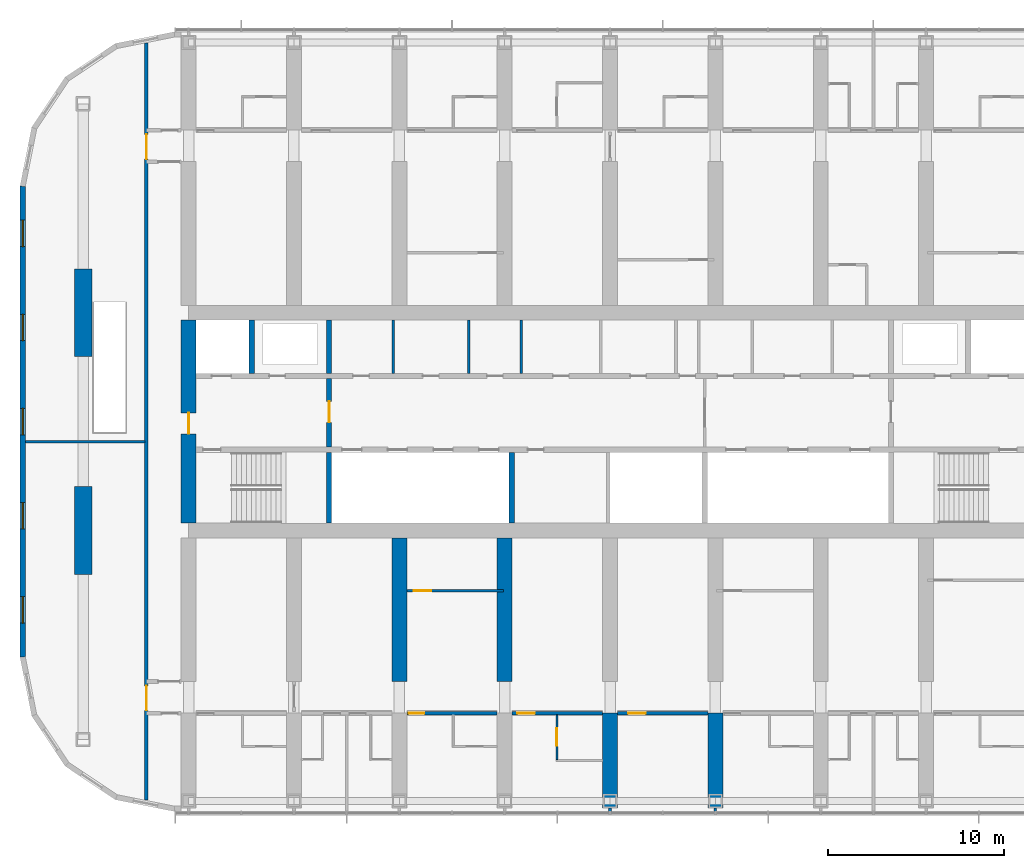
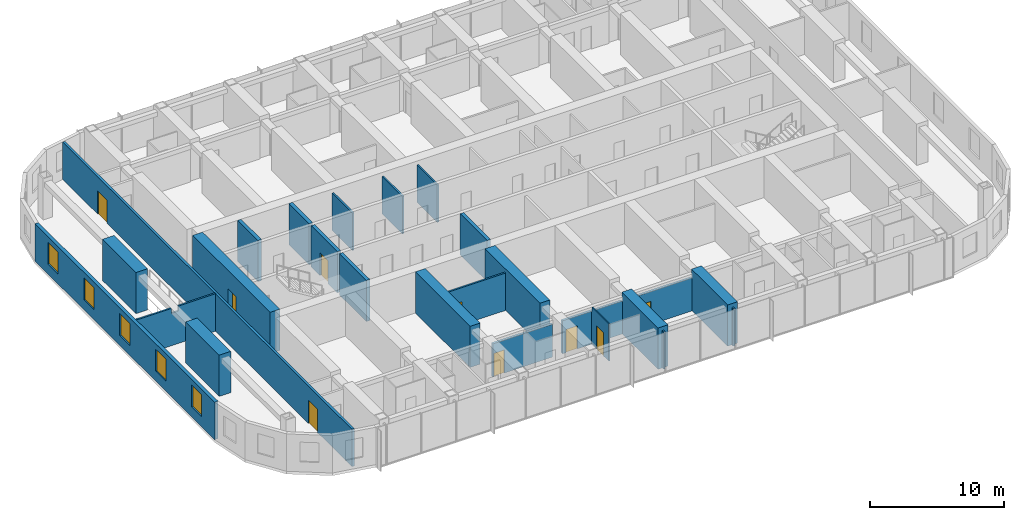
# One storey, part 11 of 22: 25 walls, 9 doors, 5 windows, 14 openings.
"""IFC4 building model written with IfcOpenShell, lengths in metres."""

from ifc_helpers import new_model, si_unit, direction, frame, frame_2d, origin, place, context, subcontext, project, spatial, polyline, rectangle, outline, extrude, material, layer, layer_set, type_object, element, fill, save


model = new_model("IFC4")

# Units and contexts
model_context = context("Model", 3, precision=1e-05, world=origin(), true_north=direction((0.0, 1.0)))
body_context = subcontext(model_context, "Body", "Model", "MODEL_VIEW")
ifc_project = project(units=[si_unit("LENGTHUNIT", "METRE"), si_unit("AREAUNIT", "SQUARE_METRE"), si_unit("VOLUMEUNIT", "CUBIC_METRE"), si_unit("PLANEANGLEUNIT", "RADIAN"), si_unit("MASSUNIT", "GRAM", prefix="KILO")], contexts=[model_context])

# Site, building, storey
site_placement = place(None, origin())
site = spatial("IfcSite", under=ifc_project, at=site_placement, CompositionType="ELEMENT")
building_placement = place(site_placement, origin())
building = spatial("IfcBuilding", under=site, at=building_placement, Name="Orbita Commons", CompositionType="ELEMENT")
storey_placement = place(building_placement, frame((0.0, 0.0, 197.35009765625)))
storey = spatial("IfcBuildingStorey", under=building, at=storey_placement, Name="L49", CompositionType="ELEMENT", Elevation=197.35009765625)

# Wall
ifc_material_1 = material(Name="Concrete C50/60", Category="concrete")
ifc_layer_1 = layer(ifc_material_1, 0.300048828125)
ifc_layer_set_1 = layer_set([ifc_layer_1], Name="Concrete C50/60")
wall_type_1 = type_object("IfcWallType", Name="Core inner wall 300 C50/60", PredefinedType="SHEAR", material=ifc_layer_set_1)
wall_1_placement = place(storey_placement, frame((26.0, 26.22509765625, 0.0), z_axis=(0.0, 0.0, 1.0), x_axis=(0.0, 1.0, 0.0)))
element("IfcWall", 1, at=wall_1_placement, inside=storey, type_object=wall_type_1, Name="Stair S1 wall L49", PredefinedType="SHEAR", context=body_context, shape_type="SweptSolid", body=[
    extrude(rectangle(XDim=4.02490234375, YDim=0.300048828125, at=frame_2d((2.012451171875, 0.0))), origin(), (0.0, 0.0, 1.0), 3.75),
])

# Wall, opening, door
wall_2_placement = place(storey_placement, frame((26.0, 30.550048828125, 0.0), z_axis=(0.0, 0.0, 1.0), x_axis=(0.0, 1.0, 0.0)))
wall_2 = element("IfcWall", 2, at=wall_2_placement, inside=storey, type_object=wall_type_1, Name="Firefighting lobby wall west L49", PredefinedType="SHEAR", context=body_context, shape_type="SweptSolid", body=[
    extrude(rectangle(XDim=3.89990234375, YDim=0.300048828125, at=frame_2d((1.949951171875, 0.0))), origin(), (0.0, 0.0, 1.0), 3.75),
])
opening_1_placement = place(wall_2_placement, frame((1.39990234375, 0.0, 0.0)))
opening_1 = element("IfcOpeningElement", 3, at=opening_1_placement, cuts=wall_2, Name="Opening D04", PredefinedType="OPENING", context=body_context, shape_type="SweptSolid", body=[
    extrude(rectangle(XDim=1.199951171875, YDim=2.10009765625, at=frame_2d((0.60009765625, 1.050048828125))), frame((0.0, 0.159912109375, 0.0), z_axis=(0.0, -1.0, 0.0), x_axis=(1.0, 0.0, 0.0)), (0.0, 0.0, 1.0), 0.320068359375),
])
ifc_material_2 = material(Name="Steel-faced fire door leaf", Category="steel")
door_type_1 = type_object("IfcDoorType", Name="Service door 20 min 1200x2100", OperationType="SINGLE_SWING_LEFT", PredefinedType="DOOR", material=ifc_material_2)
door_1_placement = place(opening_1_placement, origin())
door_1 = element("IfcDoor", 4, at=door_1_placement, inside=storey, type_object=door_type_1, Name="Lift lobby door west", OperationType="SINGLE_SWING_LEFT", OverallHeight=2.10009765625, OverallWidth=1.199951171875, PredefinedType="DOOR", context=body_context, shape_type="SweptSolid", body=[
    extrude(rectangle(XDim=1.199951171875, YDim=2.10009765625, at=frame_2d((0.60009765625, 1.050048828125))), frame((0.0, 0.02490234375, 0.0), z_axis=(0.0, -1.0, 0.0), x_axis=(1.0, 0.0, 0.0)), (0.0, 0.0, 1.0), 0.050048828125),
])
fill(opening_1, door_1)

# Walls
for number, where, z_axis, x_axis, name in (
    (5, (21.60009765625, 34.75, 0.0), (0.0, 0.0, 1.0), (0.0, 1.0, 0.0), "Firefighting lift FL1 shaft wall L49"),
    (6, (26.0, 34.75, 0.0), (0.0, 0.0, 1.0), (0.0, 1.0, 0.0), "Riser wall west L49"),
):
    element("IfcWall", number, at=place(storey_placement, frame(where, z_axis=z_axis, x_axis=x_axis)), inside=storey, type_object=wall_type_1, Name=name, PredefinedType="SHEAR", context=body_context, shape_type="SweptSolid", body=[
        extrude(rectangle(XDim=3.02490234375, YDim=0.300048828125, at=frame_2d((1.512451171875, 0.0))), origin(), (0.0, 0.0, 1.0), 3.75),
    ])
wall_3_placement = place(storey_placement, frame((36.39990234375, 26.22509765625, 0.0), z_axis=(0.0, 0.0, 1.0), x_axis=(0.0, 1.0, 0.0)))
element("IfcWall", 7, at=wall_3_placement, inside=storey, type_object=wall_type_1, Name="Hoistway division wall L49", PredefinedType="SHEAR", context=body_context, shape_type="SweptSolid", body=[
    extrude(rectangle(XDim=4.02490234375, YDim=0.300048828125, at=frame_2d((2.012451171875, 0.0))), origin(), (0.0, 0.0, 1.0), 3.75),
])
ifc_material_3 = material(Name="Concrete blockwork", Category="masonry")
ifc_layer_2 = layer(ifc_material_3, 0.14990234375)
ifc_layer_set_2 = layer_set([ifc_layer_2], Name="Concrete blockwork")
wall_type_2 = type_object("IfcWallType", Name="Core partition 150 blockwork", PredefinedType="SOLIDWALL", material=ifc_layer_set_2)
for number, where, z_axis, x_axis, name in (
    (8, (29.65087890625, 34.75, 0.0), (0.0, 0.0, 1.0), (0.0, 1.0, 0.0), "Core partition 150 blockwork L49"),
    (9, (33.9462890625, 34.75, 0.0), (0.0, 0.0, 1.0), (0.0, 1.0, 0.0), "Core partition 150 blockwork L49"),
    (10, (36.9462890625, 34.75, 0.0), (0.0, 0.0, 1.0), (0.0, 1.0, 0.0), "Core partition 150 blockwork L49"),
):
    element("IfcWall", number, at=place(storey_placement, frame(where, z_axis=z_axis, x_axis=x_axis)), inside=storey, type_object=wall_type_2, Name=name, PredefinedType="SOLIDWALL", context=body_context, shape_type="SweptSolid", body=[
        extrude(rectangle(XDim=3.02490234375, YDim=0.14990234375, at=frame_2d((1.512451171875, 0.0))), origin(), (0.0, 0.0, 1.0), 3.39990234375),
    ])

# Wall, opening, door
ifc_material_4 = material(Name="Concrete C50/60", Category="concrete")
ifc_layer_3 = layer(ifc_material_4, 0.85009765625)
ifc_layer_set_3 = layer_set([ifc_layer_3], Name="Concrete C50/60")
wall_type_3 = type_object("IfcWallType", Name="Core wall 850 C50/60", PredefinedType="SHEAR", material=ifc_layer_set_3)
wall_4_placement = place(storey_placement, frame((18.0, 26.22509765625, 0.0), z_axis=(0.0, 0.0, 1.0), x_axis=(0.0, 1.0, 0.0)))
wall_4 = element("IfcWall", 11, at=wall_4_placement, inside=storey, type_object=wall_type_3, Name="Core end wall west L49", PredefinedType="SHEAR", context=body_context, shape_type="SweptSolid", body=[
    extrude(rectangle(XDim=11.5498046875, YDim=0.85009765625, at=frame_2d((5.77490234375, 0.0))), origin(), (0.0, 0.0, 1.0), 3.75),
])
opening_2_placement = place(wall_4_placement, frame((5.074951171875, 0.0, 0.0)))
opening_2 = element("IfcOpeningElement", 12, at=opening_2_placement, cuts=wall_4, Name="Opening D01", PredefinedType="OPENING", context=body_context, shape_type="SweptSolid", body=[
    extrude(rectangle(XDim=1.199951171875, YDim=2.10009765625, at=frame_2d((0.60009765625, 1.050048828125))), frame((0.0, 0.43505859375, 0.0), z_axis=(0.0, -1.0, 0.0), x_axis=(1.0, 0.0, 0.0)), (0.0, 0.0, 1.0), 0.8701171875),
])
ifc_material_5 = material(Name="Steel-faced fire door leaf", Category="steel")
door_type_2 = type_object("IfcDoorType", Name="Fire door 90 min 1200x2100", OperationType="SINGLE_SWING_LEFT", PredefinedType="DOOR", material=ifc_material_5)
door_2_placement = place(opening_2_placement, origin())
door_2 = element("IfcDoor", 13, at=door_2_placement, inside=storey, type_object=door_type_2, Name="Firefighting lobby west door", OperationType="SINGLE_SWING_LEFT", OverallHeight=2.10009765625, OverallWidth=1.199951171875, PredefinedType="DOOR", context=body_context, shape_type="SweptSolid", body=[
    extrude(rectangle(XDim=1.199951171875, YDim=2.10009765625, at=frame_2d((0.60009765625, 1.050048828125))), frame((0.0, 0.02490234375, 0.0), z_axis=(0.0, -1.0, 0.0), x_axis=(1.0, 0.0, 0.0)), (0.0, 0.0, 1.0), 0.050048828125),
])
fill(opening_2, door_2)

ifc_material_6 = material(Name="Concrete blockwork", Category="masonry")
ifc_layer_4 = layer(ifc_material_6, 0.199951171875)
ifc_layer_set_4 = layer_set([ifc_layer_4], Name="Concrete blockwork")
wall_type_4 = type_object("IfcWallType", Name="Corridor wall 200 blockwork", PredefinedType="SOLIDWALL", material=ifc_layer_set_4)
wall_5_placement = place(storey_placement, frame((30.425048828125, 15.39990234375, 0.0), z_axis=(0.0, 0.0, 1.0), x_axis=(1.0, 0.0, 0.0)))
wall_5 = element("IfcWall", 14, at=wall_5_placement, inside=storey, type_object=wall_type_4, Name="Corridor wall 200 blockwork L49", PredefinedType="SOLIDWALL", context=body_context, shape_type="SweptSolid", body=[
    extrude(outline(polyline([(0.0, 0.0), (5.14990234375, 0.0), (5.14990234375, 3.0), (0.0, 3.0), (0.0, 0.0)])), frame((0.0, 0.10009765625, 0.0), z_axis=(0.0, -1.0, 0.0), x_axis=(1.0, 0.0, 0.0)), (0.0, 0.0, 1.0), 0.199951171875),
])
opening_3_placement = place(wall_5_placement, frame((0.10009765625, 0.0, 0.0)))
opening_3 = element("IfcOpeningElement", 15, at=opening_3_placement, cuts=wall_5, Name="Opening D11", PredefinedType="OPENING", context=body_context, shape_type="SweptSolid", body=[
    extrude(rectangle(XDim=0.89990234375, YDim=2.10009765625, at=frame_2d((0.449951171875, 1.050048828125))), frame((0.0, 0.10986328125, 0.0), z_axis=(0.0, -1.0, 0.0), x_axis=(1.0, 0.0, 0.0)), (0.0, 0.0, 1.0), 0.219970703125),
])
ifc_material_7 = material(Name="Steel-faced fire door leaf", Category="steel")
door_type_3 = type_object("IfcDoorType", Name="Corridor door 20 min 900x2100", OperationType="SINGLE_SWING_LEFT", PredefinedType="DOOR", material=ifc_material_7)
door_3_placement = place(opening_3_placement, origin())
door_3 = element("IfcDoor", 16, at=door_3_placement, inside=storey, type_object=door_type_3, Name="Twin room L49-S04 door", OperationType="SINGLE_SWING_LEFT", OverallHeight=2.10009765625, OverallWidth=0.89990234375, PredefinedType="DOOR", context=body_context, shape_type="SweptSolid", body=[
    extrude(rectangle(XDim=0.89990234375, YDim=2.10009765625, at=frame_2d((0.449951171875, 1.050048828125))), frame((0.0, 0.02490234375, 0.0), z_axis=(0.0, -1.0, 0.0), x_axis=(1.0, 0.0, 0.0)), (0.0, 0.0, 1.0), 0.050048828125),
])
fill(opening_3, door_3)

wall_6_placement = place(storey_placement, frame((36.425048828125, 15.39990234375, 0.0), z_axis=(0.0, 0.0, 1.0), x_axis=(1.0, 0.0, 0.0)))
wall_6 = element("IfcWall", 17, at=wall_6_placement, inside=storey, type_object=wall_type_4, Name="Corridor wall 200 blockwork L49", PredefinedType="SOLIDWALL", context=body_context, shape_type="SweptSolid", body=[
    extrude(outline(polyline([(0.0, 0.0), (5.14990234375, 0.0), (5.14990234375, 3.0), (0.0, 3.0), (0.0, 0.0)])), frame((0.0, 0.10009765625, 0.0), z_axis=(0.0, -1.0, 0.0), x_axis=(1.0, 0.0, 0.0)), (0.0, 0.0, 1.0), 0.199951171875),
])
opening_4_placement = place(wall_6_placement, frame((0.300048828125, 0.0, 0.0)))
opening_4 = element("IfcOpeningElement", 18, at=opening_4_placement, cuts=wall_6, Name="Opening D06", PredefinedType="OPENING", context=body_context, shape_type="SweptSolid", body=[
    extrude(rectangle(XDim=1.0, YDim=2.10009765625, at=frame_2d((0.5, 1.050048828125))), frame((0.0, 0.10986328125, 0.0), z_axis=(0.0, -1.0, 0.0), x_axis=(1.0, 0.0, 0.0)), (0.0, 0.0, 1.0), 0.219970703125),
])
ifc_material_8 = material(Name="Steel-faced fire door leaf", Category="steel")
door_type_4 = type_object("IfcDoorType", Name="Corridor door 20 min 1000x2100", OperationType="SINGLE_SWING_LEFT", PredefinedType="DOOR", material=ifc_material_8)
door_4_placement = place(opening_4_placement, origin())
door_4 = element("IfcDoor", 19, at=door_4_placement, inside=storey, type_object=door_type_4, Name="Accessible bedroom L49-S06 door", OperationType="SINGLE_SWING_LEFT", OverallHeight=2.10009765625, OverallWidth=1.0, PredefinedType="DOOR", context=body_context, shape_type="SweptSolid", body=[
    extrude(rectangle(XDim=1.0, YDim=2.10009765625, at=frame_2d((0.5, 1.050048828125))), frame((0.0, 0.02490234375, 0.0), z_axis=(0.0, -1.0, 0.0), x_axis=(1.0, 0.0, 0.0)), (0.0, 0.0, 1.0), 0.050048828125),
])
fill(opening_4, door_4)

wall_7_placement = place(storey_placement, frame((42.425048828125, 15.39990234375, 0.0), z_axis=(0.0, 0.0, 1.0), x_axis=(1.0, 0.0, 0.0)))
wall_7 = element("IfcWall", 20, at=wall_7_placement, inside=storey, type_object=wall_type_4, Name="Corridor wall 200 blockwork L49", PredefinedType="SOLIDWALL", context=body_context, shape_type="SweptSolid", body=[
    extrude(outline(polyline([(0.0, 0.0), (5.14990234375, 0.0), (5.14990234375, 3.0), (0.0, 3.0), (0.0, 0.0)])), frame((0.0, 0.10009765625, 0.0), z_axis=(0.0, -1.0, 0.0), x_axis=(1.0, 0.0, 0.0)), (0.0, 0.0, 1.0), 0.199951171875),
])
opening_5_placement = place(wall_7_placement, frame((0.60009765625, 0.0, 0.0)))
opening_5 = element("IfcOpeningElement", 21, at=opening_5_placement, cuts=wall_7, Name="Opening D06", PredefinedType="OPENING", context=body_context, shape_type="SweptSolid", body=[
    extrude(rectangle(XDim=1.0, YDim=2.10009765625, at=frame_2d((0.5, 1.050048828125))), frame((0.0, 0.10986328125, 0.0), z_axis=(0.0, -1.0, 0.0), x_axis=(1.0, 0.0, 0.0)), (0.0, 0.0, 1.0), 0.219970703125),
])
door_5_placement = place(opening_5_placement, origin())
door_5 = element("IfcDoor", 22, at=door_5_placement, inside=storey, type_object=door_type_4, Name="Cluster kitchen-diner L49-S08 door", OperationType="SINGLE_SWING_LEFT", OverallHeight=2.10009765625, OverallWidth=1.0, PredefinedType="DOOR", context=body_context, shape_type="SweptSolid", body=[
    extrude(rectangle(XDim=1.0, YDim=2.10009765625, at=frame_2d((0.5, 1.050048828125))), frame((0.0, 0.02490234375, 0.0), z_axis=(0.0, -1.0, 0.0), x_axis=(1.0, 0.0, 0.0)), (0.0, 0.0, 1.0), 0.050048828125),
])
fill(opening_5, door_5)

# Wall, openings, doors
wall_8_placement = place(storey_placement, frame((15.60009765625, 10.4462890625, 0.0), z_axis=(0.0, 0.0, 1.0), x_axis=(0.0, 1.0, 0.0)))
wall_8 = element("IfcWall", 23, at=wall_8_placement, inside=storey, type_object=wall_type_4, Name="Corridor wall 200 blockwork L49", PredefinedType="SOLIDWALL", context=body_context, shape_type="SweptSolid", body=[
    extrude(rectangle(XDim=43.107421875, YDim=0.199951171875, at=frame_2d((21.5537109375, 0.0))), origin(), (0.0, 0.0, 1.0), 3.39990234375),
])
opening_6_placement = place(wall_8_placement, frame((5.103759765625, 0.0, 0.0)))
opening_6 = element("IfcOpeningElement", 24, at=opening_6_placement, cuts=wall_8, Name="Opening D08", PredefinedType="OPENING", context=body_context, shape_type="SweptSolid", body=[
    extrude(rectangle(XDim=1.39990234375, YDim=2.10009765625, at=frame_2d((0.699951171875, 1.050048828125))), frame((0.0, 0.10986328125, 0.0), z_axis=(0.0, -1.0, 0.0), x_axis=(1.0, 0.0, 0.0)), (0.0, 0.0, 1.0), 0.219970703125),
])
opening_7_placement = place(wall_8_placement, frame((36.50390625, 0.0, 0.0)))
opening_7 = element("IfcOpeningElement", 25, at=opening_7_placement, cuts=wall_8, Name="Opening D08", PredefinedType="OPENING", context=body_context, shape_type="SweptSolid", body=[
    extrude(rectangle(XDim=1.39990234375, YDim=2.10009765625, at=frame_2d((0.699951171875, 1.050048828125))), frame((0.0, 0.10986328125, 0.0), z_axis=(0.0, -1.0, 0.0), x_axis=(1.0, 0.0, 0.0)), (0.0, 0.0, 1.0), 0.219970703125),
])
ifc_material_9 = material(Name="Steel-faced fire door leaf", Category="steel")
door_type_5 = type_object("IfcDoorType", Name="Double corridor door 20 min 1400x2100", OperationType="DOUBLE_DOOR_SINGLE_SWING", PredefinedType="DOOR", material=ifc_material_9)
door_6_placement = place(opening_6_placement, origin())
door_6 = element("IfcDoor", 26, at=door_6_placement, inside=storey, type_object=door_type_5, Name="Lounge doors", OperationType="DOUBLE_DOOR_SINGLE_SWING", OverallHeight=2.10009765625, OverallWidth=1.39990234375, PredefinedType="DOOR", context=body_context, shape_type="SweptSolid", body=[
    extrude(rectangle(XDim=1.39990234375, YDim=2.10009765625, at=frame_2d((0.699951171875, 1.050048828125))), frame((0.0, 0.02490234375, 0.0), z_axis=(0.0, -1.0, 0.0), x_axis=(1.0, 0.0, 0.0)), (0.0, 0.0, 1.0), 0.050048828125),
])
fill(opening_6, door_6)
door_7_placement = place(opening_7_placement, origin())
door_7 = element("IfcDoor", 27, at=door_7_placement, inside=storey, type_object=door_type_5, Name="Lounge doors", OperationType="DOUBLE_DOOR_SINGLE_SWING", OverallHeight=2.10009765625, OverallWidth=1.39990234375, PredefinedType="DOOR", context=body_context, shape_type="SweptSolid", body=[
    extrude(rectangle(XDim=1.39990234375, YDim=2.10009765625, at=frame_2d((0.699951171875, 1.050048828125))), frame((0.0, 0.02490234375, 0.0), z_axis=(0.0, -1.0, 0.0), x_axis=(1.0, 0.0, 0.0)), (0.0, 0.0, 1.0), 0.050048828125),
])
fill(opening_7, door_7)

# Walls
ifc_material_10 = material(Name="Concrete C50/60", Category="concrete")
ifc_layer_5 = layer(ifc_material_10, 0.85009765625)
ifc_layer_set_5 = layer_set([ifc_layer_5], Name="Concrete C50/60")
wall_type_5 = type_object("IfcWallType", Name="Cross wall 850 C50/60", PredefinedType="SHEAR", material=ifc_layer_set_5)
for number, where, z_axis, x_axis, name in (
    (28, (30.0, 17.199951171875, 0.0), (0.0, 0.0, 1.0), (0.0, 1.0, 0.0), "Cross wall 6 south inner L49"),
    (29, (36.0, 17.199951171875, 0.0), (0.0, 0.0, 1.0), (0.0, 1.0, 0.0), "Cross wall 7 south inner L49"),
):
    element("IfcWall", number, at=place(storey_placement, frame(where, z_axis=z_axis, x_axis=x_axis)), inside=storey, type_object=wall_type_5, Name=name, PredefinedType="SHEAR", context=body_context, shape_type="SweptSolid", body=[
        extrude(rectangle(XDim=8.175048828125, YDim=0.85009765625, at=frame_2d((4.08740234375, 0.0))), origin(), (0.0, 0.0, 1.0), 3.75),
    ])
for number, where, z_axis, x_axis, name in (
    (30, (42.0, 10.0, 0.0), (0.0, 0.0, 1.0), (0.0, 1.0, 0.0), "Cross wall 8 south outer L49"),
    (31, (48.0, 10.0, 0.0), (0.0, 0.0, 1.0), (0.0, 1.0, 0.0), "Cross wall 9 south outer L49"),
):
    element("IfcWall", number, at=place(storey_placement, frame(where, z_axis=z_axis, x_axis=x_axis)), inside=storey, type_object=wall_type_5, Name=name, PredefinedType="SHEAR", context=body_context, shape_type="SweptSolid", body=[
        extrude(rectangle(XDim=5.39990234375, YDim=0.85009765625, at=frame_2d((2.699951171875, 0.0))), origin(), (0.0, 0.0, 1.0), 3.75),
    ])

# Wall, opening, door
ifc_material_11 = material(Name="Moisture-resistant plasterboard on steel studs", Category="steel")
ifc_layer_6 = layer(ifc_material_11, 0.10009765625)
ifc_layer_set_6 = layer_set([ifc_layer_6], Name="Moisture-resistant plasterboard on steel studs")
wall_type_6 = type_object("IfcWallType", Name="En-suite partition 100", PredefinedType="PARTITIONING", material=ifc_layer_set_6)
wall_9_placement = place(storey_placement, frame((38.97509765625, 12.75, 0.0), z_axis=(0.0, 0.0, 1.0), x_axis=(0.0, 1.0, 0.0)))
wall_9 = element("IfcWall", 32, at=wall_9_placement, inside=storey, type_object=wall_type_6, Name="En-suite partition 100 L49", PredefinedType="PARTITIONING", context=body_context, shape_type="SweptSolid", body=[
    extrude(outline(polyline([(0.0, 0.0), (2.550048828125, 0.0), (2.550048828125, 3.0), (2.501953125, 3.0), (2.5, 3.39990234375), (0.0, 3.39990234375), (0.0, 0.0)])), frame((0.0, 0.050048828125, 0.0), z_axis=(0.0, -1.0, 0.0), x_axis=(1.0, 0.0, 0.0)), (0.0, 0.0, 1.0), 0.10009765625),
])
opening_8_placement = place(wall_9_placement, frame((0.800048828125, 0.0, 0.0)))
opening_8 = element("IfcOpeningElement", 33, at=opening_8_placement, cuts=wall_9, Name="Opening D13", PredefinedType="OPENING", context=body_context, shape_type="SweptSolid", body=[
    extrude(rectangle(XDim=1.0, YDim=2.10009765625, at=frame_2d((0.5, 1.050048828125))), frame((0.0, 0.06005859375, 0.0), z_axis=(0.0, -1.0, 0.0), x_axis=(1.0, 0.0, 0.0)), (0.0, 0.0, 1.0), 0.1201171875),
])
ifc_material_12 = material(Name="Laminated timber door leaf", Category="wood")
door_type_6 = type_object("IfcDoorType", Name="En-suite door 1000x2100", OperationType="SINGLE_SWING_RIGHT", PredefinedType="DOOR", material=ifc_material_12)
door_8_placement = place(opening_8_placement, origin())
door_8 = element("IfcDoor", 34, at=door_8_placement, inside=storey, type_object=door_type_6, Name="Accessible shower room L49-S06 door", OperationType="SINGLE_SWING_RIGHT", OverallHeight=2.10009765625, OverallWidth=1.0, PredefinedType="DOOR", context=body_context, shape_type="SweptSolid", body=[
    extrude(rectangle(XDim=1.0, YDim=2.10009765625, at=frame_2d((0.5, 1.050048828125))), frame((0.0, 0.02490234375, 0.0), z_axis=(0.0, -1.0, 0.0), x_axis=(1.0, 0.0, 0.0)), (0.0, 0.0, 1.0), 0.050048828125),
])
fill(opening_8, door_8)

# Walls
ifc_material_13 = material(Name="Concrete C50/60", Category="concrete")
ifc_layer_7 = layer(ifc_material_13, 1.0)
ifc_layer_set_7 = layer_set([ifc_layer_7], Name="Concrete C50/60")
wall_type_7 = type_object("IfcWallType", Name="End pier 1000x5000 C50/60", PredefinedType="SHEAR", material=ifc_layer_set_7)
for number, where, z_axis, x_axis, name in (
    (35, (12.0, 23.300048828125, 0.0), (0.0, 0.0, 1.0), (0.0, 1.0, 0.0), "End pier 3/C L49"),
    (36, (12.0, 35.699951171875, 0.0), (0.0, 0.0, 1.0), (0.0, 1.0, 0.0), "End pier 3/D L49"),
):
    element("IfcWall", number, at=place(storey_placement, frame(where, z_axis=z_axis, x_axis=x_axis)), inside=storey, type_object=wall_type_7, Name=name, PredefinedType="SHEAR", context=body_context, shape_type="SweptSolid", body=[
        extrude(rectangle(XDim=5.0, YDim=1.0, at=frame_2d((2.5, 0.0))), origin(), (0.0, 0.0, 1.0), 3.75),
    ])

# Wall, opening, door
ifc_material_14 = material(Name="Gypsum plasterboard on steel studs", Category="steel")
ifc_layer_8 = layer(ifc_material_14, 0.14990234375)
ifc_layer_set_8 = layer_set([ifc_layer_8], Name="Gypsum plasterboard on steel studs")
wall_type_8 = type_object("IfcWallType", Name="Partition 150 plasterboard", PredefinedType="PARTITIONING", material=ifc_layer_set_8)
wall_10_placement = place(storey_placement, frame((30.425048828125, 22.375, 0.0), z_axis=(0.0, 0.0, 1.0), x_axis=(1.0, 0.0, 0.0)))
wall_10 = element("IfcWall", 37, at=wall_10_placement, inside=storey, type_object=wall_type_8, Name="Partition 150 plasterboard L49", PredefinedType="PARTITIONING", context=body_context, shape_type="SweptSolid", body=[
    extrude(rectangle(XDim=5.5, YDim=0.14990234375, at=frame_2d((2.75, 0.0))), origin(), (0.0, 0.0, 1.0), 3.39990234375),
])
opening_9_placement = place(wall_10_placement, frame((0.39990234375, 0.0, 0.0)))
opening_9 = element("IfcOpeningElement", 38, at=opening_9_placement, cuts=wall_10, Name="Opening D17", PredefinedType="OPENING", context=body_context, shape_type="SweptSolid", body=[
    extrude(rectangle(XDim=1.0, YDim=2.10009765625, at=frame_2d((0.5, 1.050048828125))), frame((0.0, 0.0849609375, 0.0), z_axis=(0.0, -1.0, 0.0), x_axis=(1.0, 0.0, 0.0)), (0.0, 0.0, 1.0), 0.169921875),
])
ifc_material_15 = material(Name="Steel-faced fire door leaf", Category="steel")
door_type_7 = type_object("IfcDoorType", Name="Shaft access door 90 min 1000x2100", OperationType="SINGLE_SWING_LEFT", PredefinedType="DOOR", material=ifc_material_15)
door_9_placement = place(opening_9_placement, origin())
door_9 = element("IfcDoor", 39, at=door_9_placement, inside=storey, type_object=door_type_7, Name="Ventilation plant room south L49-BDS30 door", OperationType="SINGLE_SWING_LEFT", OverallHeight=2.10009765625, OverallWidth=1.0, PredefinedType="DOOR", context=body_context, shape_type="SweptSolid", body=[
    extrude(rectangle(XDim=1.0, YDim=2.10009765625, at=frame_2d((0.5, 1.050048828125))), frame((0.0, 0.02490234375, 0.0), z_axis=(0.0, -1.0, 0.0), x_axis=(1.0, 0.0, 0.0)), (0.0, 0.0, 1.0), 0.050048828125),
])
fill(opening_9, door_9)

# Walls
wall_11_placement = place(storey_placement, frame((8.705078125, 30.85009765625, 0.0), z_axis=(0.0, 0.0, 1.0), x_axis=(1.0, 0.0, 0.0)))
element("IfcWall", 40, at=wall_11_placement, inside=storey, type_object=wall_type_8, Name="Partition 150 plasterboard L49", PredefinedType="PARTITIONING", context=body_context, shape_type="SweptSolid", body=[
    extrude(outline(polyline([(0.0, 0.0), (6.81982421875, 0.0), (6.820068359375, 3.39990234375), (3.596923828125, 3.39990234375), (3.594970703125, 2.949951171875), (2.9970703125, 2.949951171875), (2.9951171875, 3.39990234375), (0.0, 3.39990234375), (0.0, 0.0)])), frame((0.0, 0.074951171875, 0.0), z_axis=(0.0, -1.0, 0.0), x_axis=(1.0, 0.0, 0.0)), (0.0, 0.0, 1.0), 0.14990234375),
])
for number, where, z_axis, x_axis, name in (
    (41, (42.0, 10.0, 0.0), (0.0, 0.0, 1.0), (0.0, -1.0, 0.0), "Partition 150 plasterboard L49"),
    (42, (48.0, 10.0, 0.0), (0.0, 0.0, 1.0), (0.0, -1.0, 0.0), "Partition 150 plasterboard L49"),
):
    element("IfcWall", number, at=place(storey_placement, frame(where, z_axis=z_axis, x_axis=x_axis)), inside=storey, type_object=wall_type_8, Name=name, PredefinedType="PARTITIONING", context=body_context, shape_type="SweptSolid", body=[
        extrude(rectangle(XDim=0.18994140625, YDim=0.14990234375, at=frame_2d((0.094970703125, 0.0))), origin(), (0.0, 0.0, 1.0), 3.39990234375),
    ])

# Wall, openings, windows
ifc_material_16 = material(Name="Precast concrete C40/50, white board-marked finish", Category="concrete")
ifc_layer_9 = layer(ifc_material_16, 0.300048828125)
ifc_layer_set_9 = layer_set([ifc_layer_9], Name="Precast concrete C40/50, white board-marked finish")
wall_type_9 = type_object("IfcWallType", Name="Precast concrete end shield 300", PredefinedType="SOLIDWALL", material=ifc_layer_set_9)
wall_12_placement = place(storey_placement, frame((8.550048828125, 45.39990234375, 0.0), z_axis=(0.0, 0.0, 1.0), x_axis=(0.0, -1.0, 0.0)))
wall_12 = element("IfcWall", 43, at=wall_12_placement, inside=storey, type_object=wall_type_9, Name="End shield W L49", PredefinedType="SOLIDWALL", context=body_context, shape_type="SweptSolid", body=[
    extrude(outline(polyline([(-0.014892578125, -0.14990234375), (26.814697265625, -0.14990234375), (26.784912109375, 0.14990234375), (0.014892578125, 0.14990234375), (-0.014892578125, -0.14990234375)])), origin(), (0.0, 0.0, 1.0), 3.39990234375),
])
opening_10_placement = place(wall_12_placement, frame((1.929931640625, 0.0, 0.89990234375)))
opening_10 = element("IfcOpeningElement", 44, at=opening_10_placement, cuts=wall_12, Name="Opening W01", PredefinedType="OPENING", context=body_context, shape_type="SweptSolid", body=[
    extrude(rectangle(XDim=1.5, YDim=2.0, at=frame_2d((0.75, 1.0))), frame((0.0, 0.159912109375, 0.0), z_axis=(0.0, -1.0, 0.0), x_axis=(1.0, 0.0, 0.0)), (0.0, 0.0, 1.0), 0.320068359375),
])
opening_11_placement = place(wall_12_placement, frame((7.2900390625, 0.0, 0.89990234375)))
opening_11 = element("IfcOpeningElement", 45, at=opening_11_placement, cuts=wall_12, Name="Opening W01", PredefinedType="OPENING", context=body_context, shape_type="SweptSolid", body=[
    extrude(rectangle(XDim=1.5, YDim=2.0, at=frame_2d((0.75, 1.0))), frame((0.0, 0.159912109375, 0.0), z_axis=(0.0, -1.0, 0.0), x_axis=(1.0, 0.0, 0.0)), (0.0, 0.0, 1.0), 0.320068359375),
])
opening_12_placement = place(wall_12_placement, frame((12.64990234375, 0.0, 0.89990234375)))
opening_12 = element("IfcOpeningElement", 46, at=opening_12_placement, cuts=wall_12, Name="Opening W01", PredefinedType="OPENING", context=body_context, shape_type="SweptSolid", body=[
    extrude(rectangle(XDim=1.5, YDim=2.0, at=frame_2d((0.75, 1.0))), frame((0.0, 0.159912109375, 0.0), z_axis=(0.0, -1.0, 0.0), x_axis=(1.0, 0.0, 0.0)), (0.0, 0.0, 1.0), 0.320068359375),
])
opening_13_placement = place(wall_12_placement, frame((18.010009765625, 0.0, 0.89990234375)))
opening_13 = element("IfcOpeningElement", 47, at=opening_13_placement, cuts=wall_12, Name="Opening W01", PredefinedType="OPENING", context=body_context, shape_type="SweptSolid", body=[
    extrude(rectangle(XDim=1.5, YDim=2.0, at=frame_2d((0.75, 1.0))), frame((0.0, 0.159912109375, 0.0), z_axis=(0.0, -1.0, 0.0), x_axis=(1.0, 0.0, 0.0)), (0.0, 0.0, 1.0), 0.320068359375),
])
opening_14_placement = place(wall_12_placement, frame((23.3701171875, 0.0, 0.89990234375)))
opening_14 = element("IfcOpeningElement", 48, at=opening_14_placement, cuts=wall_12, Name="Opening W01", PredefinedType="OPENING", context=body_context, shape_type="SweptSolid", body=[
    extrude(rectangle(XDim=1.5, YDim=2.0, at=frame_2d((0.75, 1.0))), frame((0.0, 0.159912109375, 0.0), z_axis=(0.0, -1.0, 0.0), x_axis=(1.0, 0.0, 0.0)), (0.0, 0.0, 1.0), 0.320068359375),
])
ifc_material_17 = material(Name="Aluminium frame, clear double glazing", Category="aluminium")
window_type = type_object("IfcWindowType", Name="Deep-set window 1500x2000", PartitioningType="SINGLE_PANEL", PredefinedType="WINDOW", material=ifc_material_17)
window_1_placement = place(opening_10_placement, origin())
window_1 = element("IfcWindow", 49, at=window_1_placement, inside=storey, type_object=window_type, Name="Window L49-W 1", OverallHeight=2.0, OverallWidth=1.5, PartitioningType="SINGLE_PANEL", PredefinedType="WINDOW", context=body_context, shape_type="SweptSolid", body=[
    extrude(rectangle(XDim=1.5, YDim=2.0, at=frame_2d((0.75, 1.0))), frame((0.0, 0.030029296875, 0.0), z_axis=(0.0, -1.0, 0.0), x_axis=(1.0, 0.0, 0.0)), (0.0, 0.0, 1.0), 0.06005859375),
])
fill(opening_10, window_1)
window_2_placement = place(opening_11_placement, origin())
window_2 = element("IfcWindow", 50, at=window_2_placement, inside=storey, type_object=window_type, Name="Window L49-W 2", OverallHeight=2.0, OverallWidth=1.5, PartitioningType="SINGLE_PANEL", PredefinedType="WINDOW", context=body_context, shape_type="SweptSolid", body=[
    extrude(rectangle(XDim=1.5, YDim=2.0, at=frame_2d((0.75, 1.0))), frame((0.0, 0.030029296875, 0.0), z_axis=(0.0, -1.0, 0.0), x_axis=(1.0, 0.0, 0.0)), (0.0, 0.0, 1.0), 0.06005859375),
])
fill(opening_11, window_2)
window_3_placement = place(opening_12_placement, origin())
window_3 = element("IfcWindow", 51, at=window_3_placement, inside=storey, type_object=window_type, Name="Window L49-W 3", OverallHeight=2.0, OverallWidth=1.5, PartitioningType="SINGLE_PANEL", PredefinedType="WINDOW", context=body_context, shape_type="SweptSolid", body=[
    extrude(rectangle(XDim=1.5, YDim=2.0, at=frame_2d((0.75, 1.0))), frame((0.0, 0.030029296875, 0.0), z_axis=(0.0, -1.0, 0.0), x_axis=(1.0, 0.0, 0.0)), (0.0, 0.0, 1.0), 0.06005859375),
])
fill(opening_12, window_3)
window_4_placement = place(opening_13_placement, origin())
window_4 = element("IfcWindow", 52, at=window_4_placement, inside=storey, type_object=window_type, Name="Window L49-W 4", OverallHeight=2.0, OverallWidth=1.5, PartitioningType="SINGLE_PANEL", PredefinedType="WINDOW", context=body_context, shape_type="SweptSolid", body=[
    extrude(rectangle(XDim=1.5, YDim=2.0, at=frame_2d((0.75, 1.0))), frame((0.0, 0.030029296875, 0.0), z_axis=(0.0, -1.0, 0.0), x_axis=(1.0, 0.0, 0.0)), (0.0, 0.0, 1.0), 0.06005859375),
])
fill(opening_13, window_4)
window_5_placement = place(opening_14_placement, origin())
window_5 = element("IfcWindow", 53, at=window_5_placement, inside=storey, type_object=window_type, Name="Window L49-W 5", OverallHeight=2.0, OverallWidth=1.5, PartitioningType="SINGLE_PANEL", PredefinedType="WINDOW", context=body_context, shape_type="SweptSolid", body=[
    extrude(rectangle(XDim=1.5, YDim=2.0, at=frame_2d((0.75, 1.0))), frame((0.0, 0.030029296875, 0.0), z_axis=(0.0, -1.0, 0.0), x_axis=(1.0, 0.0, 0.0)), (0.0, 0.0, 1.0), 0.06005859375),
])
fill(opening_14, window_5)

save(model, "model.ifc")
